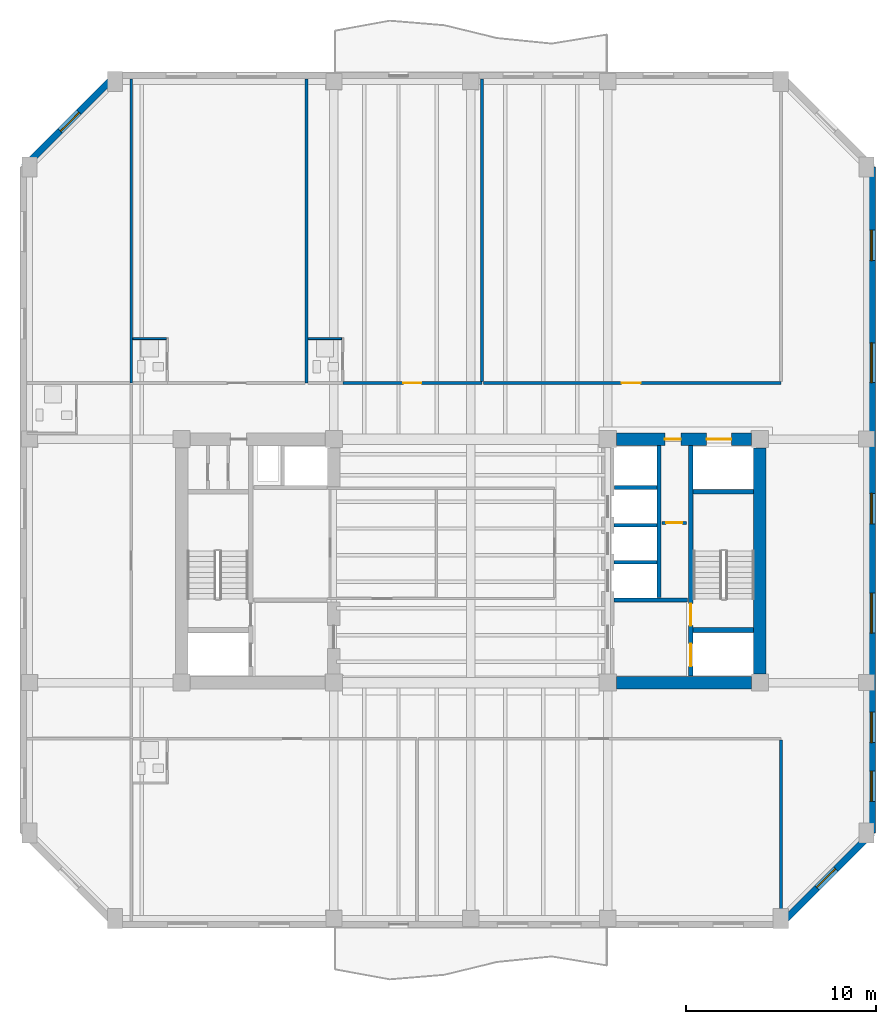
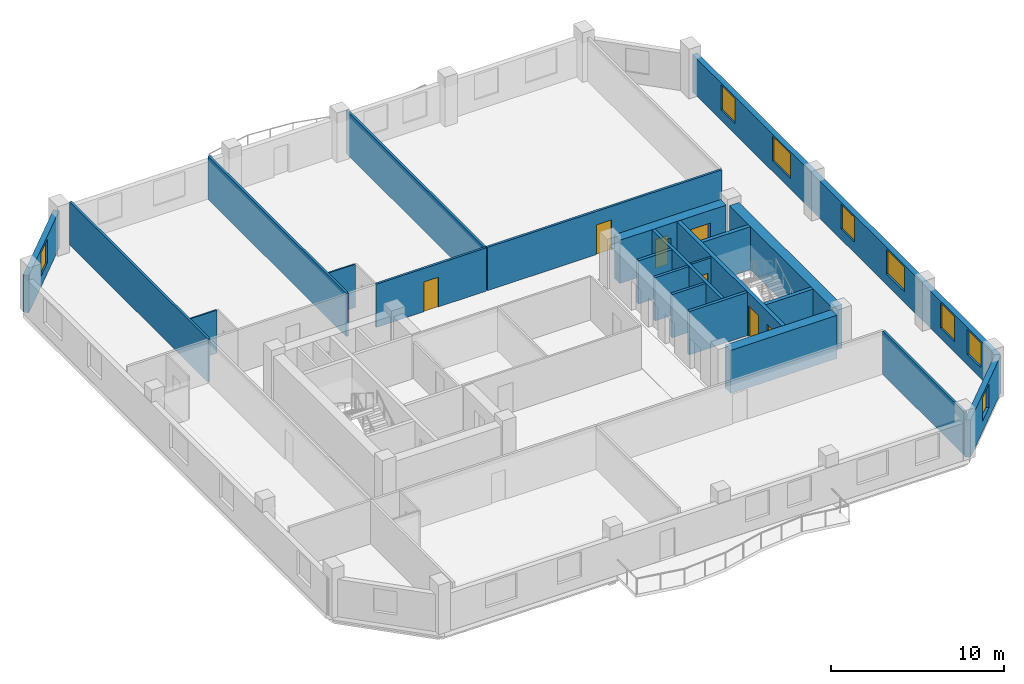
# One storey, part 4 of 9: 23 walls, 8 windows, 7 doors, 15 openings.
"""IFC4 building model written with IfcOpenShell, lengths in metres."""

from ifc_helpers import new_model, si_unit, direction, frame, frame_2d, origin, place, context, subcontext, project, spatial, rectangle, extrude, material, layer, layer_set, type_object, element, fill, save


model = new_model("IFC4")

# Units and contexts
model_context = context("Model", 3, precision=1e-05, world=origin(), true_north=direction((0.0, 1.0)))
body_context = subcontext(model_context, "Body", "Model", "MODEL_VIEW")
ifc_project = project(units=[si_unit("LENGTHUNIT", "METRE"), si_unit("AREAUNIT", "SQUARE_METRE"), si_unit("VOLUMEUNIT", "CUBIC_METRE"), si_unit("PLANEANGLEUNIT", "RADIAN"), si_unit("MASSUNIT", "GRAM", prefix="KILO")], contexts=[model_context])

# Site, building, storey
site_placement = place(None, origin())
site = spatial("IfcSite", under=ifc_project, at=site_placement, CompositionType="ELEMENT")
building_placement = place(site_placement, origin())
building = spatial("IfcBuilding", under=site, at=building_placement, Name="Kranthara Brick Stack", CompositionType="ELEMENT")
storey_placement = place(building_placement, frame((0.0, 0.0, 193.800048828125)))
storey = spatial("IfcBuildingStorey", under=building, at=storey_placement, Name="L50", CompositionType="ELEMENT", Elevation=193.800048828125)

# Wall, opening, window
ifc_material_1 = material(Name="Kiln-fired clay brick masonry M15", Category="masonry")
ifc_layer_1 = layer(ifc_material_1, 0.35009765625)
ifc_layer_set_1 = layer_set([ifc_layer_1], Name="Kiln-fired clay brick masonry M15")
wall_type_1 = type_object("IfcWallType", Name="WL-BRK-SPND-350", PredefinedType="STANDARD", material=ifc_layer_set_1)
wall_1_placement = place(storey_placement, frame((4.4951171875, 47.89990234375, 0.0), z_axis=(0.0, 0.0, 1.0), x_axis=(0.707088817216, 0.7071247447, 0.0)))
wall_1 = element("IfcWall", 1, at=wall_1_placement, inside=storey, type_object=wall_type_1, Name="L50 Exterior Brick Facade Wall NW 1", PredefinedType="STANDARD", context=body_context, shape_type="SweptSolid", body=[
    extrude(rectangle(XDim=6.79541015625, YDim=0.35009765625, at=frame_2d((3.397705078125, 0.0))), origin(), (0.0, 0.0, 1.0), 2.635009765625),
])
opening_1_placement = place(wall_1_placement, frame((2.697998046875, 0.0, 0.75)))
opening_1 = element("IfcOpeningElement", 2, at=opening_1_placement, cuts=wall_1, Name="Opening WN10", PredefinedType="OPENING", context=body_context, shape_type="SweptSolid", body=[
    extrude(rectangle(XDim=1.39990234375, YDim=1.64990234375, at=frame_2d((0.699951171875, 0.824951171875))), frame((0.0, 0.18505859375, 0.0), z_axis=(0.0, -1.0, 0.0), x_axis=(1.0, 0.0, 0.0)), (0.0, 0.0, 1.0), 0.3701171875),
])
ifc_material_2 = material(Name="Double-glazed low-E solar control glass", Category="glass")
window_type_1 = type_object("IfcWindowType", Name="WN-CHM-1400x1750", PartitioningType="SINGLE_PANEL", PredefinedType="WINDOW", material=ifc_material_2)
window_1_placement = place(opening_1_placement, origin())
window_1 = element("IfcWindow", 3, at=window_1_placement, inside=storey, type_object=window_type_1, Name="L50 NW Chamfer Corner Window", OverallHeight=1.64990234375, OverallWidth=1.39990234375, PartitioningType="SINGLE_PANEL", PredefinedType="WINDOW", context=body_context, shape_type="SweptSolid", body=[
    extrude(rectangle(XDim=1.39990234375, YDim=1.64990234375, at=frame_2d((0.699951171875, 0.824951171875))), frame((0.0, -0.010009765625, 0.0), z_axis=(0.0, -1.0, 0.0), x_axis=(1.0, 0.0, 0.0)), (0.0, 0.0, 1.0), 0.06005859375),
])
fill(opening_1, window_1)

# Wall, openings, windows
wall_2_placement = place(storey_placement, frame((49.10498046875, 47.89990234375, 0.0), z_axis=(0.0, 0.0, 1.0), x_axis=(0.0, -1.0, 0.0)))
wall_2 = element("IfcWall", 4, at=wall_2_placement, inside=storey, type_object=wall_type_1, Name="L50 Exterior Brick Facade Wall EAST 1", PredefinedType="STANDARD", context=body_context, shape_type="SweptSolid", body=[
    extrude(rectangle(XDim=35.0, YDim=0.35009765625, at=frame_2d((17.5, 0.0))), origin(), (0.0, 0.0, 1.0), 2.635009765625),
])
opening_2_placement = place(wall_2_placement, frame((3.31591796875, 0.0, 0.75)))
opening_2 = element("IfcOpeningElement", 5, at=opening_2_placement, cuts=wall_2, Name="Opening WN04", PredefinedType="OPENING", context=body_context, shape_type="SweptSolid", body=[
    extrude(rectangle(XDim=1.60009765625, YDim=1.75, at=frame_2d((0.800048828125, 0.875))), frame((0.0, 0.18505859375, 0.0), z_axis=(0.0, -1.0, 0.0), x_axis=(1.0, 0.0, 0.0)), (0.0, 0.0, 1.0), 0.3701171875),
])
opening_3_placement = place(wall_2_placement, frame((9.23388671875, 0.0, 0.75)))
opening_3 = element("IfcOpeningElement", 6, at=opening_3_placement, cuts=wall_2, Name="Opening WN05", PredefinedType="OPENING", context=body_context, shape_type="SweptSolid", body=[
    extrude(rectangle(XDim=2.10009765625, YDim=1.75, at=frame_2d((1.050048828125, 0.875))), frame((0.0, 0.18505859375, 0.0), z_axis=(0.0, -1.0, 0.0), x_axis=(1.0, 0.0, 0.0)), (0.0, 0.0, 1.0), 0.3701171875),
])
opening_4_placement = place(wall_2_placement, frame((17.152099609375, 0.0, 0.75)))
opening_4 = element("IfcOpeningElement", 7, at=opening_4_placement, cuts=wall_2, Name="Opening WN04", PredefinedType="OPENING", context=body_context, shape_type="SweptSolid", body=[
    extrude(rectangle(XDim=1.60009765625, YDim=1.75, at=frame_2d((0.800048828125, 0.875))), frame((0.0, 0.18505859375, 0.0), z_axis=(0.0, -1.0, 0.0), x_axis=(1.0, 0.0, 0.0)), (0.0, 0.0, 1.0), 0.3701171875),
])
opening_5_placement = place(wall_2_placement, frame((22.39794921875, 0.0, 0.75)))
opening_5 = element("IfcOpeningElement", 8, at=opening_5_placement, cuts=wall_2, Name="Opening WN05", PredefinedType="OPENING", context=body_context, shape_type="SweptSolid", body=[
    extrude(rectangle(XDim=2.10009765625, YDim=1.75, at=frame_2d((1.050048828125, 0.875))), frame((0.0, 0.18505859375, 0.0), z_axis=(0.0, -1.0, 0.0), x_axis=(1.0, 0.0, 0.0)), (0.0, 0.0, 1.0), 0.3701171875),
])
opening_6_placement = place(wall_2_placement, frame((28.652099609375, 0.0, 0.75)))
opening_6 = element("IfcOpeningElement", 9, at=opening_6_placement, cuts=wall_2, Name="Opening WN04", PredefinedType="OPENING", context=body_context, shape_type="SweptSolid", body=[
    extrude(rectangle(XDim=1.60009765625, YDim=1.75, at=frame_2d((0.800048828125, 0.875))), frame((0.0, 0.18505859375, 0.0), z_axis=(0.0, -1.0, 0.0), x_axis=(1.0, 0.0, 0.0)), (0.0, 0.0, 1.0), 0.3701171875),
])
opening_7_placement = place(wall_2_placement, frame((31.748046875, 0.0, 0.75)))
opening_7 = element("IfcOpeningElement", 10, at=opening_7_placement, cuts=wall_2, Name="Opening WN04", PredefinedType="OPENING", context=body_context, shape_type="SweptSolid", body=[
    extrude(rectangle(XDim=1.60009765625, YDim=1.75, at=frame_2d((0.800048828125, 0.875))), frame((0.0, 0.18505859375, 0.0), z_axis=(0.0, -1.0, 0.0), x_axis=(1.0, 0.0, 0.0)), (0.0, 0.0, 1.0), 0.3701171875),
])
ifc_material_3 = material(Name="Double-glazed low-E solar control glass", Category="glass")
window_type_2 = type_object("IfcWindowType", Name="WN-HTL-1600x1850", PartitioningType="DOUBLE_PANEL_VERTICAL", PredefinedType="WINDOW", material=ifc_material_3)
window_2_placement = place(opening_2_placement, origin())
window_2 = element("IfcWindow", 11, at=window_2_placement, inside=storey, type_object=window_type_2, Name="L50 East Deep-Set Brick Window 01", OverallHeight=1.75, OverallWidth=1.60009765625, PartitioningType="SINGLE_PANEL", PredefinedType="WINDOW", context=body_context, shape_type="SweptSolid", body=[
    extrude(rectangle(XDim=1.60009765625, YDim=1.75, at=frame_2d((0.800048828125, 0.875))), frame((0.0, -0.010009765625, 0.0), z_axis=(0.0, -1.0, 0.0), x_axis=(1.0, 0.0, 0.0)), (0.0, 0.0, 1.0), 0.06005859375),
])
fill(opening_2, window_2)
window_3_placement = place(opening_4_placement, origin())
window_3 = element("IfcWindow", 12, at=window_3_placement, inside=storey, type_object=window_type_2, Name="L50 East Deep-Set Brick Window 03", OverallHeight=1.75, OverallWidth=1.60009765625, PartitioningType="SINGLE_PANEL", PredefinedType="WINDOW", context=body_context, shape_type="SweptSolid", body=[
    extrude(rectangle(XDim=1.60009765625, YDim=1.75, at=frame_2d((0.800048828125, 0.875))), frame((0.0, -0.010009765625, 0.0), z_axis=(0.0, -1.0, 0.0), x_axis=(1.0, 0.0, 0.0)), (0.0, 0.0, 1.0), 0.06005859375),
])
fill(opening_4, window_3)
window_4_placement = place(opening_6_placement, origin())
window_4 = element("IfcWindow", 13, at=window_4_placement, inside=storey, type_object=window_type_2, Name="L50 East Deep-Set Brick Window 05", OverallHeight=1.75, OverallWidth=1.60009765625, PartitioningType="SINGLE_PANEL", PredefinedType="WINDOW", context=body_context, shape_type="SweptSolid", body=[
    extrude(rectangle(XDim=1.60009765625, YDim=1.75, at=frame_2d((0.800048828125, 0.875))), frame((0.0, -0.010009765625, 0.0), z_axis=(0.0, -1.0, 0.0), x_axis=(1.0, 0.0, 0.0)), (0.0, 0.0, 1.0), 0.06005859375),
])
fill(opening_6, window_4)
window_5_placement = place(opening_7_placement, origin())
window_5 = element("IfcWindow", 14, at=window_5_placement, inside=storey, type_object=window_type_2, Name="L50 East Deep-Set Brick Window 06", OverallHeight=1.75, OverallWidth=1.60009765625, PartitioningType="SINGLE_PANEL", PredefinedType="WINDOW", context=body_context, shape_type="SweptSolid", body=[
    extrude(rectangle(XDim=1.60009765625, YDim=1.75, at=frame_2d((0.800048828125, 0.875))), frame((0.0, -0.010009765625, 0.0), z_axis=(0.0, -1.0, 0.0), x_axis=(1.0, 0.0, 0.0)), (0.0, 0.0, 1.0), 0.06005859375),
])
fill(opening_7, window_5)
ifc_material_4 = material(Name="Double-glazed low-E solar control glass", Category="glass")
window_type_3 = type_object("IfcWindowType", Name="WN-HTL-2100x1850", PartitioningType="DOUBLE_PANEL_VERTICAL", PredefinedType="WINDOW", material=ifc_material_4)
window_6_placement = place(opening_3_placement, origin())
window_6 = element("IfcWindow", 15, at=window_6_placement, inside=storey, type_object=window_type_3, Name="L50 East Deep-Set Brick Window 02", OverallHeight=1.75, OverallWidth=2.10009765625, PartitioningType="SINGLE_PANEL", PredefinedType="WINDOW", context=body_context, shape_type="SweptSolid", body=[
    extrude(rectangle(XDim=2.10009765625, YDim=1.75, at=frame_2d((1.050048828125, 0.875))), frame((0.0, -0.010009765625, 0.0), z_axis=(0.0, -1.0, 0.0), x_axis=(1.0, 0.0, 0.0)), (0.0, 0.0, 1.0), 0.06005859375),
])
fill(opening_3, window_6)
window_7_placement = place(opening_5_placement, origin())
window_7 = element("IfcWindow", 16, at=window_7_placement, inside=storey, type_object=window_type_3, Name="L50 East Deep-Set Brick Window 04", OverallHeight=1.75, OverallWidth=2.10009765625, PartitioningType="SINGLE_PANEL", PredefinedType="WINDOW", context=body_context, shape_type="SweptSolid", body=[
    extrude(rectangle(XDim=2.10009765625, YDim=1.75, at=frame_2d((1.050048828125, 0.875))), frame((0.0, -0.010009765625, 0.0), z_axis=(0.0, -1.0, 0.0), x_axis=(1.0, 0.0, 0.0)), (0.0, 0.0, 1.0), 0.06005859375),
])
fill(opening_5, window_7)

# Wall, opening, window
wall_3_placement = place(storey_placement, frame((49.10498046875, 12.89990234375, 0.0), z_axis=(0.0, 0.0, 1.0), x_axis=(-0.707106781187, -0.707106781187, 0.0)))
wall_3 = element("IfcWall", 17, at=wall_3_placement, inside=storey, type_object=wall_type_1, Name="L50 Exterior Brick Facade Wall SE 1", PredefinedType="STANDARD", context=body_context, shape_type="SweptSolid", body=[
    extrude(rectangle(XDim=6.795166015625, YDim=0.35009765625, at=frame_2d((3.3974609375, 0.0))), origin(), (0.0, 0.0, 1.0), 2.635009765625),
])
opening_8_placement = place(wall_3_placement, frame((2.697998046875, 0.0, 0.75)))
opening_8 = element("IfcOpeningElement", 18, at=opening_8_placement, cuts=wall_3, Name="Opening WN10", PredefinedType="OPENING", context=body_context, shape_type="SweptSolid", body=[
    extrude(rectangle(XDim=1.39990234375, YDim=1.64990234375, at=frame_2d((0.699951171875, 0.824951171875))), frame((0.0, 0.18505859375, 0.0), z_axis=(0.0, -1.0, 0.0), x_axis=(1.0, 0.0, 0.0)), (0.0, 0.0, 1.0), 0.3701171875),
])
window_8_placement = place(opening_8_placement, origin())
window_8 = element("IfcWindow", 19, at=window_8_placement, inside=storey, type_object=window_type_1, Name="L50 SE Chamfer Corner Window", OverallHeight=1.64990234375, OverallWidth=1.39990234375, PartitioningType="SINGLE_PANEL", PredefinedType="WINDOW", context=body_context, shape_type="SweptSolid", body=[
    extrude(rectangle(XDim=1.39990234375, YDim=1.64990234375, at=frame_2d((0.699951171875, 0.824951171875))), frame((0.0, -0.010009765625, 0.0), z_axis=(0.0, -1.0, 0.0), x_axis=(1.0, 0.0, 0.0)), (0.0, 0.0, 1.0), 0.06005859375),
])
fill(opening_8, window_8)

# Wall, openings, doors
ifc_material_5 = material(Name="Concrete C50/60", Category="concrete")
ifc_layer_2 = layer(ifc_material_5, 0.25)
ifc_layer_set_2 = layer_set([ifc_layer_2], Name="Concrete C50/60")
wall_type_2 = type_object("IfcWallType", Name="WL-CORE-250", PredefinedType="SHEAR", material=ifc_layer_set_2)
wall_4_placement = place(storey_placement, frame((39.56494140625, 21.135009765625, 0.0), z_axis=(0.0, 0.0, 1.0), x_axis=(0.0, 1.0, 0.0)))
wall_4 = element("IfcWall", 20, at=wall_4_placement, inside=storey, type_object=wall_type_2, Name="L50 East Core Stair Bearing Spine Wall", PredefinedType="SHEAR", context=body_context, shape_type="SweptSolid", body=[
    extrude(rectangle(XDim=12.1298828125, YDim=0.25, at=frame_2d((6.06494140625, 0.0))), origin(), (0.0, 0.0, 1.0), 3.050048828125),
])
opening_9_placement = place(wall_4_placement, frame((0.514892578125, 0.0, 0.0)))
opening_9 = element("IfcOpeningElement", 21, at=opening_9_placement, cuts=wall_4, Name="Opening LD01", PredefinedType="OPENING", context=body_context, shape_type="SweptSolid", body=[
    extrude(rectangle(XDim=1.199951171875, YDim=2.14990234375, at=frame_2d((0.60009765625, 1.074951171875))), frame((0.0, 0.135009765625, 0.0), z_axis=(0.0, -1.0, 0.0), x_axis=(1.0, 0.0, 0.0)), (0.0, 0.0, 1.0), 0.27001953125),
])
opening_10_placement = place(wall_4_placement, frame((2.6650390625, 0.0, 0.0)))
opening_10 = element("IfcOpeningElement", 22, at=opening_10_placement, cuts=wall_4, Name="Opening D05", PredefinedType="OPENING", context=body_context, shape_type="SweptSolid", body=[
    extrude(rectangle(XDim=1.14990234375, YDim=2.14990234375, at=frame_2d((0.574951171875, 1.074951171875))), frame((0.0, 0.135009765625, 0.0), z_axis=(0.0, -1.0, 0.0), x_axis=(1.0, 0.0, 0.0)), (0.0, 0.0, 1.0), 0.27001953125),
])
ifc_material_6 = material(Name="Stainless steel sliding landing door", Category="steel")
door_type_1 = type_object("IfcDoorType", Name="DR-LD-FF1200", OperationType="DOUBLE_DOOR_SLIDING", PredefinedType="DOOR", material=ifc_material_6)
door_1_placement = place(opening_9_placement, origin())
door_1 = element("IfcDoor", 23, at=door_1_placement, inside=storey, type_object=door_type_1, Name="L50 Firefighting Lift FF-02 Landing Door", OperationType="DOUBLE_DOOR_SLIDING", OverallHeight=2.14990234375, OverallWidth=1.199951171875, PredefinedType="DOOR", context=body_context, shape_type="SweptSolid", body=[
    extrude(rectangle(XDim=1.199951171875, YDim=2.14990234375, at=frame_2d((0.60009765625, 1.074951171875))), frame((0.0, 0.02490234375, 0.0), z_axis=(0.0, -1.0, 0.0), x_axis=(1.0, 0.0, 0.0)), (0.0, 0.0, 1.0), 0.050048828125),
])
fill(opening_9, door_1)
ifc_material_7 = material(Name="Solid-core hardwood timber leaf in steel frame", Category="steel")
door_type_2 = type_object("IfcDoorType", Name="DR-ST-1150", OperationType="NOTDEFINED", PredefinedType="DOOR", material=ifc_material_7)
door_2_placement = place(opening_10_placement, origin())
door_2 = element("IfcDoor", 24, at=door_2_placement, inside=storey, type_object=door_type_2, Name="L50 Exit Stair ST02 Door", OperationType="SINGLE_SWING_LEFT", OverallHeight=2.14990234375, OverallWidth=1.14990234375, PredefinedType="DOOR", context=body_context, shape_type="SweptSolid", body=[
    extrude(rectangle(XDim=1.14990234375, YDim=2.14990234375, at=frame_2d((0.574951171875, 1.074951171875))), frame((0.0, 0.02490234375, 0.0), z_axis=(0.0, -1.0, 0.0), x_axis=(1.0, 0.0, 0.0)), (0.0, 0.0, 1.0), 0.050048828125),
])
fill(opening_10, door_2)

# Walls
for number, where, z_axis, x_axis, name in (
    (25, (39.68994140625, 23.570068359375, 0.0), (0.0, 0.0, 1.0), (1.0, 0.0, 0.0), "L50 East Stairwell Bearing Wall EFF"),
    (26, (39.68994140625, 30.830078125, 0.0), (0.0, 0.0, 1.0), (1.0, 0.0, 0.0), "L50 East Stairwell Bearing Wall EST"),
):
    element("IfcWall", number, at=place(storey_placement, frame(where, z_axis=z_axis, x_axis=x_axis)), inside=storey, type_object=wall_type_2, Name=name, PredefinedType="SHEAR", context=body_context, shape_type="SweptSolid", body=[
        extrude(rectangle(XDim=3.175048828125, YDim=0.25, at=frame_2d((1.58740234375, 0.0))), origin(), (0.0, 0.0, 1.0), 3.050048828125),
    ])
ifc_material_8 = material(Name="Concrete C60/75", Category="concrete")
ifc_layer_3 = layer(ifc_material_8, 0.64990234375)
ifc_layer_set_3 = layer_set([ifc_layer_3], Name="Concrete C60/75")
wall_type_3 = type_object("IfcWallType", Name="WL-CORE-650", PredefinedType="SHEAR", material=ifc_layer_set_3)
wall_5_placement = place(storey_placement, frame((43.199951171875, 21.2548828125, 0.0), z_axis=(0.0, 0.0, 1.0), x_axis=(0.0, 1.0, 0.0)))
element("IfcWall", 27, at=wall_5_placement, inside=storey, type_object=wall_type_3, Name="L50 East Core Shear Wall East", PredefinedType="SHEAR", context=body_context, shape_type="SweptSolid", body=[
    extrude(rectangle(XDim=11.89013671875, YDim=0.64990234375, at=frame_2d((5.945068359375, 0.0))), origin(), (0.0, 0.0, 1.0), 3.050048828125),
])
wall_6_placement = place(storey_placement, frame((35.655029296875, 20.800048828125, 0.0), z_axis=(0.0, 0.0, 1.0), x_axis=(1.0, 0.0, 0.0)))
element("IfcWall", 28, at=wall_6_placement, inside=storey, type_object=wall_type_3, Name="L50 East Core Shear Wall South", PredefinedType="SHEAR", context=body_context, shape_type="SweptSolid", body=[
    extrude(rectangle(XDim=7.090087890625, YDim=0.64990234375, at=frame_2d((3.544921875, 0.0))), origin(), (0.0, 0.0, 1.0), 3.050048828125),
])

# Wall, openings, doors
wall_7_placement = place(storey_placement, frame((35.655029296875, 33.60009765625, 0.0), z_axis=(0.0, 0.0, 1.0), x_axis=(1.0, 0.0, 0.0)))
wall_7 = element("IfcWall", 29, at=wall_7_placement, inside=storey, type_object=wall_type_3, Name="L50 East Core Shear Wall North", PredefinedType="SHEAR", context=body_context, shape_type="SweptSolid", body=[
    extrude(rectangle(XDim=7.090087890625, YDim=0.64990234375, at=frame_2d((3.544921875, 0.0))), origin(), (0.0, 0.0, 1.0), 3.050048828125),
])
opening_11_placement = place(wall_7_placement, frame((4.7451171875, 0.0, 0.0)))
opening_11 = element("IfcOpeningElement", 30, at=opening_11_placement, cuts=wall_7, Name="Opening LD03", PredefinedType="OPENING", context=body_context, shape_type="SweptSolid", body=[
    extrude(rectangle(XDim=1.300048828125, YDim=2.14990234375, at=frame_2d((0.64990234375, 1.074951171875))), frame((0.0, 0.3349609375, 0.0), z_axis=(0.0, -1.0, 0.0), x_axis=(1.0, 0.0, 0.0)), (0.0, 0.0, 1.0), 0.669921875),
])
opening_12_placement = place(wall_7_placement, frame((2.544921875, 0.0, 0.0)))
opening_12 = element("IfcOpeningElement", 31, at=opening_12_placement, cuts=wall_7, Name="Opening D10", PredefinedType="OPENING", context=body_context, shape_type="SweptSolid", body=[
    extrude(rectangle(XDim=0.85009765625, YDim=2.02001953125, at=frame_2d((0.425048828125, 1.010009765625))), frame((0.0, 0.3349609375, 0.0), z_axis=(0.0, -1.0, 0.0), x_axis=(1.0, 0.0, 0.0)), (0.0, 0.0, 1.0), 0.669921875),
])
ifc_material_9 = material(Name="Stainless steel sliding landing door", Category="steel")
door_type_3 = type_object("IfcDoorType", Name="DR-LD-SV1300", OperationType="DOUBLE_DOOR_SLIDING", PredefinedType="DOOR", material=ifc_material_9)
door_3_placement = place(opening_11_placement, origin())
door_3 = element("IfcDoor", 32, at=door_3_placement, inside=storey, type_object=door_type_3, Name="L50 Stretcher Service Lift SV-01 Landing Door", OperationType="DOUBLE_DOOR_SLIDING", OverallHeight=2.14990234375, OverallWidth=1.300048828125, PredefinedType="DOOR", context=body_context, shape_type="SweptSolid", body=[
    extrude(rectangle(XDim=1.300048828125, YDim=2.14990234375, at=frame_2d((0.64990234375, 1.074951171875))), frame((0.0, 0.02490234375, 0.0), z_axis=(0.0, -1.0, 0.0), x_axis=(1.0, 0.0, 0.0)), (0.0, 0.0, 1.0), 0.050048828125),
])
fill(opening_11, door_3)
ifc_material_10 = material(Name="Solid-core hardwood timber leaf in steel frame", Category="steel")
door_type_4 = type_object("IfcDoorType", Name="DR-RSR-850", OperationType="NOTDEFINED", PredefinedType="DOOR", material=ifc_material_10)
door_4_placement = place(opening_12_placement, origin())
door_4 = element("IfcDoor", 33, at=door_4_placement, inside=storey, type_object=door_type_4, Name="L50 East Core Service Room Door", OperationType="SINGLE_SWING_LEFT", OverallHeight=2.02001953125, OverallWidth=0.85009765625, PredefinedType="DOOR", context=body_context, shape_type="SweptSolid", body=[
    extrude(rectangle(XDim=0.85009765625, YDim=2.02001953125, at=frame_2d((0.425048828125, 1.010009765625))), frame((0.0, 0.02490234375, 0.0), z_axis=(0.0, -1.0, 0.0), x_axis=(1.0, 0.0, 0.0)), (0.0, 0.0, 1.0), 0.050048828125),
])
fill(opening_12, door_4)

# Walls
ifc_material_11 = material(Name="Moisture-resistant wet-room partition", Category="other")
ifc_layer_4 = layer(ifc_material_11, 0.10009765625)
ifc_layer_set_4 = layer_set([ifc_layer_4], Name="Moisture-resistant wet-room partition")
wall_type_4 = type_object("IfcWallType", Name="WL-PART-100", PredefinedType="PARTITIONING", material=ifc_layer_set_4)
for number, where, z_axis, x_axis, name in (
    (34, (10.22998046875, 38.8798828125, 0.0), (0.0, 0.0, 1.0), (1.0, 0.0, 0.0), "L50 Interior Partition 022"),
    (35, (19.449951171875, 38.8798828125, 0.0), (0.0, 0.0, 1.0), (1.0, 0.0, 0.0), "L50 Interior Partition 026"),
):
    element("IfcWall", number, at=place(storey_placement, frame(where, z_axis=z_axis, x_axis=x_axis)), inside=storey, type_object=wall_type_4, Name=name, PredefinedType="PARTITIONING", context=body_context, shape_type="SweptSolid", body=[
        extrude(rectangle(XDim=1.76513671875, YDim=0.10009765625, at=frame_2d((0.882568359375, 0.0))), origin(), (0.0, 0.0, 1.0), 3.050048828125),
    ])

# Wall, opening, door
ifc_material_12 = material(Name="Fire-rated gypsum board partition", Category="other")
ifc_layer_5 = layer(ifc_material_12, 0.14990234375)
ifc_layer_set_5 = layer_set([ifc_layer_5], Name="Fire-rated gypsum board partition")
wall_type_5 = type_object("IfcWallType", Name="WL-PART-150", PredefinedType="PARTITIONING", material=ifc_layer_set_5)
wall_8_placement = place(storey_placement, frame((38.050048828125, 29.199951171875, 0.0), z_axis=(0.0, 0.0, 1.0), x_axis=(1.0, 0.0, 0.0)))
wall_8 = element("IfcWall", 36, at=wall_8_placement, inside=storey, type_object=wall_type_5, Name="L50 Interior Partition 003", PredefinedType="PARTITIONING", context=body_context, shape_type="SweptSolid", body=[
    extrude(rectangle(XDim=1.300048828125, YDim=0.14990234375, at=frame_2d((0.64990234375, 0.0))), origin(), (0.0, 0.0, 1.0), 3.050048828125),
])
opening_13_placement = place(wall_8_placement, frame((0.219970703125, 0.0, 0.0)))
opening_13 = element("IfcOpeningElement", 37, at=opening_13_placement, cuts=wall_8, Name="Opening D10", PredefinedType="OPENING", context=body_context, shape_type="SweptSolid", body=[
    extrude(rectangle(XDim=0.85009765625, YDim=2.02001953125, at=frame_2d((0.425048828125, 1.010009765625))), frame((0.0, 0.0849609375, 0.0), z_axis=(0.0, -1.0, 0.0), x_axis=(1.0, 0.0, 0.0)), (0.0, 0.0, 1.0), 0.169921875),
])
door_5_placement = place(opening_13_placement, origin())
door_5 = element("IfcDoor", 38, at=door_5_placement, inside=storey, type_object=door_type_4, Name="L50 East Service Door 03", OperationType="SINGLE_SWING_LEFT", OverallHeight=2.02001953125, OverallWidth=0.85009765625, PredefinedType="DOOR", context=body_context, shape_type="SweptSolid", body=[
    extrude(rectangle(XDim=0.85009765625, YDim=2.02001953125, at=frame_2d((0.425048828125, 1.010009765625))), frame((0.0, 0.02490234375, 0.0), z_axis=(0.0, -1.0, 0.0), x_axis=(1.0, 0.0, 0.0)), (0.0, 0.0, 1.0), 0.050048828125),
])
fill(opening_13, door_5)

# Walls
wall_9_placement = place(storey_placement, frame((44.300048828125, 8.27490234375, 0.0), z_axis=(0.0, 0.0, 1.0), x_axis=(0.0, 1.0, 0.0)))
element("IfcWall", 39, at=wall_9_placement, inside=storey, type_object=wall_type_5, Name="L50 Interior Partition 016", PredefinedType="PARTITIONING", context=body_context, shape_type="SweptSolid", body=[
    extrude(rectangle(XDim=9.4951171875, YDim=0.14990234375, at=frame_2d((4.74755859375, 0.0))), origin(), (0.0, 0.0, 1.0), 3.050048828125),
])
for number, where, z_axis, x_axis, name in (
    (40, (10.14990234375, 36.550048828125, 0.0), (0.0, 0.0, 1.0), (0.0, 1.0, 0.0), "L50 Interior Partition 017"),
    (41, (19.3701171875, 36.550048828125, 0.0), (0.0, 0.0, 1.0), (0.0, 1.0, 0.0), "L50 Interior Partition 018"),
):
    element("IfcWall", number, at=place(storey_placement, frame(where, z_axis=z_axis, x_axis=x_axis)), inside=storey, type_object=wall_type_5, Name=name, PredefinedType="PARTITIONING", context=body_context, shape_type="SweptSolid", body=[
        extrude(rectangle(XDim=15.974853515625, YDim=0.14990234375, at=frame_2d((7.9873046875, 0.0))), origin(), (0.0, 0.0, 1.0), 3.050048828125),
    ])

# Wall, opening, door
wall_10_placement = place(storey_placement, frame((21.27001953125, 36.550048828125, 0.0), z_axis=(0.0, 0.0, 1.0), x_axis=(1.0, 0.0, 0.0)))
wall_10 = element("IfcWall", 42, at=wall_10_placement, inside=storey, type_object=wall_type_5, Name="L50 Interior Partition 024", PredefinedType="PARTITIONING", context=body_context, shape_type="SweptSolid", body=[
    extrude(rectangle(XDim=7.321044921875, YDim=0.14990234375, at=frame_2d((3.66064453125, 0.0))), origin(), (0.0, 0.0, 1.0), 3.050048828125),
])
opening_14_placement = place(wall_10_placement, frame((3.179931640625, 0.0, 0.0)))
opening_14 = element("IfcOpeningElement", 43, at=opening_14_placement, cuts=wall_10, Name="Opening D09", PredefinedType="OPENING", context=body_context, shape_type="SweptSolid", body=[
    extrude(rectangle(XDim=0.949951171875, YDim=2.10009765625, at=frame_2d((0.47509765625, 1.050048828125))), frame((0.0, 0.0849609375, 0.0), z_axis=(0.0, -1.0, 0.0), x_axis=(1.0, 0.0, 0.0)), (0.0, 0.0, 1.0), 0.169921875),
])
ifc_material_13 = material(Name="Solid-core hardwood timber leaf in steel frame", Category="steel")
door_type_5 = type_object("IfcDoorType", Name="DR-FD-950", OperationType="NOTDEFINED", PredefinedType="DOOR", material=ifc_material_13)
door_6_placement = place(opening_14_placement, origin())
door_6 = element("IfcDoor", 44, at=door_6_placement, inside=storey, type_object=door_type_5, Name="L50 Key 04 Entry 13", OperationType="SINGLE_SWING_LEFT", OverallHeight=2.10009765625, OverallWidth=0.949951171875, PredefinedType="DOOR", context=body_context, shape_type="SweptSolid", body=[
    extrude(rectangle(XDim=0.949951171875, YDim=2.10009765625, at=frame_2d((0.47509765625, 1.050048828125))), frame((0.0, 0.02490234375, 0.0), z_axis=(0.0, -1.0, 0.0), x_axis=(1.0, 0.0, 0.0)), (0.0, 0.0, 1.0), 0.050048828125),
])
fill(opening_14, door_6)

# Wall
wall_11_placement = place(storey_placement, frame((28.591064453125, 36.6298828125, 0.0), z_axis=(0.0, 0.0, 1.0), x_axis=(0.0, 1.0, 0.0)))
element("IfcWall", 45, at=wall_11_placement, inside=storey, type_object=wall_type_5, Name="L50 Interior Partition 027", PredefinedType="PARTITIONING", context=body_context, shape_type="SweptSolid", body=[
    extrude(rectangle(XDim=15.89501953125, YDim=0.14990234375, at=frame_2d((7.947509765625, 0.0))), origin(), (0.0, 0.0, 1.0), 3.050048828125),
])

# Wall, opening, door
wall_12_placement = place(storey_placement, frame((28.6708984375, 36.550048828125, 0.0), z_axis=(0.0, 0.0, 1.0), x_axis=(1.0, 0.0, 0.0)))
wall_12 = element("IfcWall", 46, at=wall_12_placement, inside=storey, type_object=wall_type_5, Name="L50 Interior Partition 028", PredefinedType="PARTITIONING", context=body_context, shape_type="SweptSolid", body=[
    extrude(rectangle(XDim=15.629150390625, YDim=0.14990234375, at=frame_2d((7.814453125, 0.0))), origin(), (0.0, 0.0, 1.0), 3.050048828125),
])
opening_15_placement = place(wall_12_placement, frame((7.2548828125, 0.0, 0.0)))
opening_15 = element("IfcOpeningElement", 47, at=opening_15_placement, cuts=wall_12, Name="Opening D08", PredefinedType="OPENING", context=body_context, shape_type="SweptSolid", body=[
    extrude(rectangle(XDim=1.0, YDim=2.10009765625, at=frame_2d((0.5, 1.050048828125))), frame((0.0, 0.0849609375, 0.0), z_axis=(0.0, -1.0, 0.0), x_axis=(1.0, 0.0, 0.0)), (0.0, 0.0, 1.0), 0.169921875),
])
ifc_material_14 = material(Name="Solid-core hardwood timber leaf in steel frame", Category="steel")
door_type_6 = type_object("IfcDoorType", Name="DR-FD-1000", OperationType="NOTDEFINED", PredefinedType="DOOR", material=ifc_material_14)
door_7_placement = place(opening_15_placement, origin())
door_7 = element("IfcDoor", 48, at=door_7_placement, inside=storey, type_object=door_type_6, Name="L50 Guest Lounge 14", OperationType="SINGLE_SWING_RIGHT", OverallHeight=2.10009765625, OverallWidth=1.0, PredefinedType="DOOR", context=body_context, shape_type="SweptSolid", body=[
    extrude(rectangle(XDim=1.0, YDim=2.10009765625, at=frame_2d((0.5, 1.050048828125))), frame((0.0, 0.02490234375, 0.0), z_axis=(0.0, -1.0, 0.0), x_axis=(1.0, 0.0, 0.0)), (0.0, 0.0, 1.0), 0.050048828125),
])
fill(opening_15, door_7)

# Walls
ifc_material_15 = material(Name="Gypsum plasterboard on acoustic twin stud", Category="other")
ifc_layer_6 = layer(ifc_material_15, 0.179931640625)
ifc_layer_set_6 = layer_set([ifc_layer_6], Name="Gypsum plasterboard on acoustic twin stud")
wall_type_6 = type_object("IfcWallType", Name="WL-PART-180", PredefinedType="PARTITIONING", material=ifc_layer_set_6)
for number, where, z_axis, x_axis, name in (
    (49, (35.534912109375, 27.1201171875, 0.0), (0.0, 0.0, 1.0), (1.0, 0.0, 0.0), "L50 East Hoistway Wall EH1"),
    (50, (35.534912109375, 29.080078125, 0.0), (0.0, 0.0, 1.0), (1.0, 0.0, 0.0), "L50 East Hoistway Wall EH2"),
):
    element("IfcWall", number, at=place(storey_placement, frame(where, z_axis=z_axis, x_axis=x_axis)), inside=storey, type_object=wall_type_6, Name=name, PredefinedType="PARTITIONING", context=body_context, shape_type="SweptSolid", body=[
        extrude(rectangle(XDim=2.2451171875, YDim=0.179931640625, at=frame_2d((1.12255859375, 0.0))), origin(), (0.0, 0.0, 1.0), 3.050048828125),
    ])
ifc_material_16 = material(Name="Concrete C40/50", Category="concrete")
ifc_layer_7 = layer(ifc_material_16, 0.199951171875)
ifc_layer_set_7 = layer_set([ifc_layer_7], Name="Concrete C40/50")
wall_type_7 = type_object("IfcWallType", Name="WL-PART-200", PredefinedType="SOLIDWALL", material=ifc_layer_set_7)
wall_13_placement = place(storey_placement, frame((35.534912109375, 25.14990234375, 0.0), z_axis=(0.0, 0.0, 1.0), x_axis=(1.0, 0.0, 0.0)))
element("IfcWall", 51, at=wall_13_placement, inside=storey, type_object=wall_type_7, Name="L50 East Core Cross Wall EFL", PredefinedType="SOLIDWALL", context=body_context, shape_type="SweptSolid", body=[
    extrude(rectangle(XDim=3.864990234375, YDim=0.199951171875, at=frame_2d((1.9326171875, 0.0))), origin(), (0.0, 0.0, 1.0), 3.050048828125),
])
wall_14_placement = place(storey_placement, frame((35.550048828125, 31.050048828125, 0.0), z_axis=(0.0, 0.0, 1.0), x_axis=(1.0, 0.0, 0.0)))
element("IfcWall", 52, at=wall_14_placement, inside=storey, type_object=wall_type_7, Name="L50 East Core Cross Wall EE4", PredefinedType="SOLIDWALL", context=body_context, shape_type="SweptSolid", body=[
    extrude(rectangle(XDim=2.25, YDim=0.199951171875, at=frame_2d((1.125, 0.0))), origin(), (0.0, 0.0, 1.0), 3.050048828125),
])
wall_15_placement = place(storey_placement, frame((37.89990234375, 25.27001953125, 0.0), z_axis=(0.0, 0.0, 1.0), x_axis=(0.0, 1.0, 0.0)))
element("IfcWall", 53, at=wall_15_placement, inside=storey, type_object=wall_type_7, Name="L50 East Core Cross Wall ESV", PredefinedType="SOLIDWALL", context=body_context, shape_type="SweptSolid", body=[
    extrude(rectangle(XDim=7.994873046875, YDim=0.199951171875, at=frame_2d((3.99755859375, 0.0))), origin(), (0.0, 0.0, 1.0), 3.050048828125),
])

save(model, "model.ifc")
